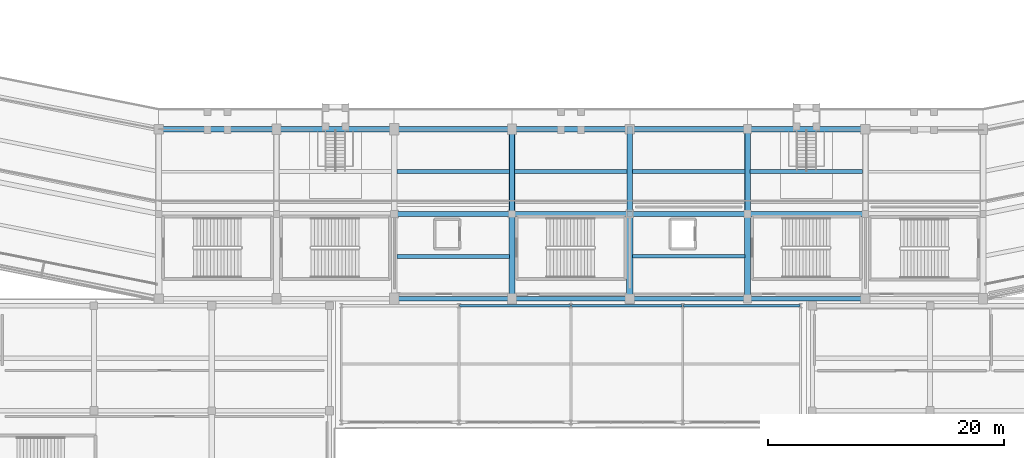
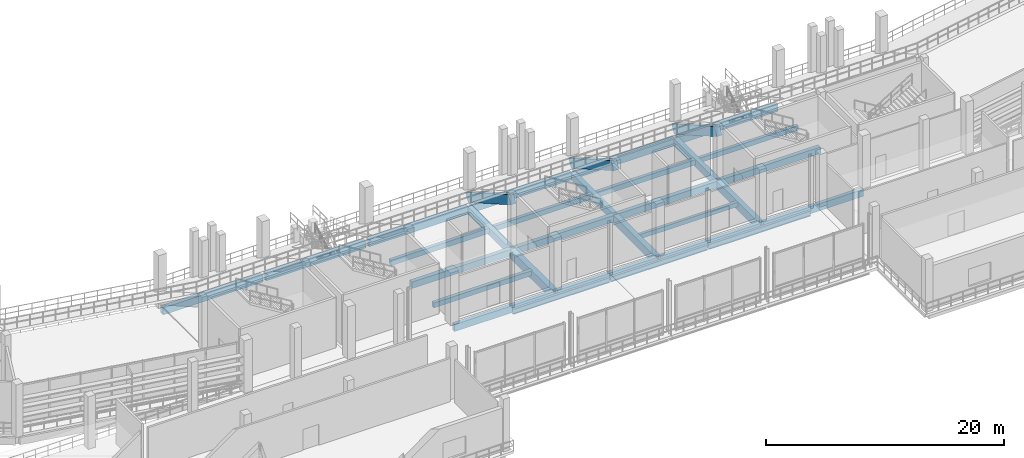
# One storey, part 24 of 127: 32 beams.
"""IFC4 building model written with IfcOpenShell, lengths in metres."""

from ifc_helpers import new_model, si_unit, direction, frame, origin, origin_2d, place, context, subcontext, project, spatial, rectangle, i_section, extrude, material, material_profile, profile_set, type_object, element, save


model = new_model("IFC4")

# Units and contexts
model_context = context("Model", 3, precision=1e-05, world=origin(), true_north=direction((0.0, 1.0)))
body_context = subcontext(model_context, "Body", "Model", "MODEL_VIEW")
ifc_project = project(units=[si_unit("LENGTHUNIT", "METRE"), si_unit("AREAUNIT", "SQUARE_METRE"), si_unit("VOLUMEUNIT", "CUBIC_METRE"), si_unit("PLANEANGLEUNIT", "RADIAN"), si_unit("MASSUNIT", "GRAM", prefix="KILO")], contexts=[model_context])

# Site, building, storey
site_placement = place(None, origin())
site = spatial("IfcSite", under=ifc_project, at=site_placement, CompositionType="ELEMENT")
building_placement = place(site_placement, origin())
building = spatial("IfcBuilding", under=site, at=building_placement, Name="Candeia Ridge Stadium", CompositionType="ELEMENT")
storey_placement = place(building_placement, frame((0.0, 0.0, 10.800048828125)))
storey = spatial("IfcBuildingStorey", under=building, at=storey_placement, Name="L02", CompositionType="ELEMENT", Elevation=10.800048828125)

# Beams
ifc_material_1 = material(Name="Concrete C45/55", Category="concrete")
ifc_material_profile_1 = material_profile(ifc_material_1, rectangle(XDim=0.449951171875, YDim=0.75, at=origin_2d()), Name="RC450x750", Category="concrete")
ifc_profile_set_1 = profile_set([ifc_material_profile_1], Name="Concrete C45/55")
beam_type_1 = type_object("IfcBeamType", Name="Bowl Radial Girder RC450x750", PredefinedType="BEAM", material=ifc_profile_set_1)
beam_1_placement = place(storey_placement, frame((111.0, 33.239990234375, -0.635009765625), z_axis=(0.0, -1.0, 0.0), x_axis=(1.0, 0.0, 0.0)))
element("IfcBeam", 1, at=beam_1_placement, inside=storey, type_object=beam_type_1, Name="Bowl radial girder BM-L02-0285", PredefinedType="BEAM", context=body_context, shape_type="SweptSolid", body=[
    extrude(rectangle(XDim=0.449951171875, YDim=0.75, at=origin_2d()), origin(), (0.0, 0.0, 1.0), 6.8798828125),
])
ifc_material_profile_2 = material_profile(ifc_material_1, rectangle(XDim=0.5, YDim=0.89990234375, at=origin_2d()), Name="RC500x900", Category="concrete")
ifc_profile_set_2 = profile_set([ifc_material_profile_2], Name="Concrete C45/55")
beam_type_2 = type_object("IfcBeamType", Name="Club Stand Raker Beam RC500x900", PredefinedType="USERDEFINED", material=ifc_profile_set_2)
for number, where, z_axis, x_axis, name in (
    (2, (101.0, 33.39990234375, 0.624267578125), (0.0, -0.869244421404, 0.494382580455), (1.0, 0.0, 0.0), "Stand T2 inclined concrete raker beam 22"),
    (3, (111.0, 33.39990234375, 0.624267578125), (0.0, -0.869244421404, 0.494382580455), (1.0, 0.0, 0.0), "Stand T2 inclined concrete raker beam 23"),
    (4, (121.0, 33.39990234375, 0.624267578125), (0.0, -0.869244421404, 0.494382580455), (1.0, 0.0, 0.0), "Stand T2 inclined concrete raker beam 24"),
):
    element("IfcBeam", number, at=place(storey_placement, frame(where, z_axis=z_axis, x_axis=x_axis)), inside=storey, type_object=beam_type_2, Name=name, ObjectType="RAKER", PredefinedType="USERDEFINED", context=body_context, shape_type="SweptSolid", body=[
        extrude(rectangle(XDim=0.5, YDim=0.89990234375, at=origin_2d()), origin(), (0.0, 0.0, 1.0), 8.282958984375),
    ])
ifc_material_2 = material(Name="Concrete C40/50", Category="concrete")
ifc_material_profile_3 = material_profile(ifc_material_2, rectangle(XDim=0.280029296875, YDim=0.4599609375, at=origin_2d()), Name="RC280x460", Category="concrete")
ifc_profile_set_3 = profile_set([ifc_material_profile_3], Name="Concrete C40/50")
beam_type_3 = type_object("IfcBeamType", Name="Floor Joist RC280x460", PredefinedType="JOIST", material=ifc_profile_set_3)
beam_2_placement = place(storey_placement, frame((111.221923828125, 22.60009765625, -0.489990234375), z_axis=(1.0, 0.0, 0.0), x_axis=(0.0, 1.0, 0.0)))
element("IfcBeam", 5, at=beam_2_placement, inside=storey, type_object=beam_type_3, Name="Concourse secondary joist BM-L02-0419", PredefinedType="JOIST", context=body_context, shape_type="SweptSolid", body=[
    extrude(rectangle(XDim=0.280029296875, YDim=0.4599609375, at=origin_2d()), origin(), (0.0, 0.0, 1.0), 9.55615234375),
])
ifc_material_profile_4 = material_profile(ifc_material_2, rectangle(XDim=0.31005859375, YDim=0.489990234375, at=origin_2d()), Name="RC310x490", Category="concrete")
ifc_profile_set_4 = profile_set([ifc_material_profile_4], Name="Concrete C40/50")
beam_type_4 = type_object("IfcBeamType", Name="Floor Joist RC310x490", PredefinedType="JOIST", material=ifc_profile_set_4)
beam_3_placement = place(storey_placement, frame((121.221923828125, 29.800048828125, -0.505126953125), z_axis=(1.0, 0.0, 0.0), x_axis=(0.0, 1.0, 0.0)))
element("IfcBeam", 6, at=beam_3_placement, inside=storey, type_object=beam_type_4, Name="Concourse secondary joist BM-L02-0423", PredefinedType="JOIST", context=body_context, shape_type="SweptSolid", body=[
    extrude(rectangle(XDim=0.31005859375, YDim=0.489990234375, at=origin_2d()), origin(), (0.0, 0.0, 1.0), 9.55615234375),
])
ifc_material_profile_5 = material_profile(ifc_material_2, rectangle(XDim=0.320068359375, YDim=0.52001953125, at=origin_2d()), Name="RC320x520", Category="concrete")
ifc_profile_set_5 = profile_set([ifc_material_profile_5], Name="Concrete C40/50")
beam_type_5 = type_object("IfcBeamType", Name="Floor Joist RC320x520", PredefinedType="JOIST", material=ifc_profile_set_5)
beam_4_placement = place(storey_placement, frame((101.221923828125, 29.800048828125, -0.52001953125), z_axis=(1.0, 0.0, 0.0), x_axis=(0.0, 1.0, 0.0)))
element("IfcBeam", 7, at=beam_4_placement, inside=storey, type_object=beam_type_5, Name="Concourse secondary joist BM-L02-0414", PredefinedType="JOIST", context=body_context, shape_type="SweptSolid", body=[
    extrude(rectangle(XDim=0.320068359375, YDim=0.52001953125, at=origin_2d()), origin(), (0.0, 0.0, 1.0), 9.55615234375),
])
ifc_material_profile_6 = material_profile(ifc_material_2, rectangle(XDim=0.330078125, YDim=0.530029296875, at=origin_2d()), Name="RC330x530", Category="concrete")
ifc_profile_set_6 = profile_set([ifc_material_profile_6], Name="Concrete C40/50")
beam_type_6 = type_object("IfcBeamType", Name="Floor Joist RC330x530", PredefinedType="JOIST", material=ifc_profile_set_6)
beam_5_placement = place(storey_placement, frame((111.221923828125, 29.800048828125, -0.525146484375), z_axis=(1.0, 0.0, 0.0), x_axis=(0.0, 1.0, 0.0)))
element("IfcBeam", 8, at=beam_5_placement, inside=storey, type_object=beam_type_6, Name="Concourse secondary joist BM-L02-0418", PredefinedType="JOIST", context=body_context, shape_type="SweptSolid", body=[
    extrude(rectangle(XDim=0.330078125, YDim=0.530029296875, at=origin_2d()), origin(), (0.0, 0.0, 1.0), 9.55615234375),
])
ifc_material_profile_7 = material_profile(ifc_material_2, rectangle(XDim=0.340087890625, YDim=0.5400390625, at=origin_2d()), Name="RC340x540", Category="concrete")
ifc_profile_set_7 = profile_set([ifc_material_profile_7], Name="Concrete C40/50")
beam_type_7 = type_object("IfcBeamType", Name="Floor Joist RC340x540", PredefinedType="JOIST", material=ifc_profile_set_7)
beam_6_placement = place(storey_placement, frame((91.221923828125, 29.800048828125, -0.530029296875), z_axis=(1.0, 0.0, 0.0), x_axis=(0.0, 1.0, 0.0)))
element("IfcBeam", 9, at=beam_6_placement, inside=storey, type_object=beam_type_7, Name="Concourse secondary joist BM-L02-0409", PredefinedType="JOIST", context=body_context, shape_type="SweptSolid", body=[
    extrude(rectangle(XDim=0.340087890625, YDim=0.5400390625, at=origin_2d()), origin(), (0.0, 0.0, 1.0), 9.55615234375),
])
ifc_material_profile_8 = material_profile(ifc_material_2, rectangle(XDim=0.35009765625, YDim=0.5, at=origin_2d()), Name="RC350x500", Category="concrete")
ifc_profile_set_8 = profile_set([ifc_material_profile_8], Name="Concrete C40/50")
beam_type_8 = type_object("IfcBeamType", Name="Floor Joist RC350x500", PredefinedType="JOIST", material=ifc_profile_set_8)
beam_7_placement = place(storey_placement, frame((91.221923828125, 22.60009765625, -0.510009765625), z_axis=(1.0, 0.0, 0.0), x_axis=(0.0, 1.0, 0.0)))
element("IfcBeam", 10, at=beam_7_placement, inside=storey, type_object=beam_type_8, Name="Concourse secondary joist BM-L02-0410", PredefinedType="JOIST", context=body_context, shape_type="SweptSolid", body=[
    extrude(rectangle(XDim=0.35009765625, YDim=0.5, at=origin_2d()), origin(), (0.0, 0.0, 1.0), 9.55615234375),
])
ifc_material_profile_9 = material_profile(ifc_material_2, rectangle(XDim=0.409912109375, YDim=0.659912109375, at=origin_2d()), Name="RC410x660", Category="concrete")
ifc_profile_set_9 = profile_set([ifc_material_profile_9], Name="Concrete C40/50")
beam_type_9 = type_object("IfcBeamType", Name="Frame Girder RC410x660", PredefinedType="BEAM", material=ifc_profile_set_9)
for number, where, z_axis, x_axis, name in (
    (11, (91.159912109375, 26.199951171875, -0.590087890625), (1.0, 0.0, 0.0), (0.0, 1.0, 0.0), "Concourse spine girder BM-L02-0407"),
    (12, (101.159912109375, 26.199951171875, -0.590087890625), (1.0, 0.0, 0.0), (0.0, 1.0, 0.0), "Concourse spine girder BM-L02-0412"),
    (13, (111.159912109375, 26.199951171875, -0.590087890625), (1.0, 0.0, 0.0), (0.0, 1.0, 0.0), "Concourse spine girder BM-L02-0416"),
    (14, (121.159912109375, 26.199951171875, -0.590087890625), (1.0, 0.0, 0.0), (0.0, 1.0, 0.0), "Concourse spine girder BM-L02-0421"),
):
    element("IfcBeam", number, at=place(storey_placement, frame(where, z_axis=z_axis, x_axis=x_axis)), inside=storey, type_object=beam_type_9, Name=name, PredefinedType="BEAM", context=body_context, shape_type="SweptSolid", body=[
        extrude(rectangle(XDim=0.409912109375, YDim=0.659912109375, at=origin_2d()), origin(), (0.0, 0.0, 1.0), 9.68017578125),
    ])
ifc_material_profile_10 = material_profile(ifc_material_2, rectangle(XDim=0.43994140625, YDim=0.719970703125, at=origin_2d()), Name="RC440x720", Category="concrete")
ifc_profile_set_10 = profile_set([ifc_material_profile_10], Name="Concrete C40/50")
beam_type_10 = type_object("IfcBeamType", Name="Frame Girder RC440x720", PredefinedType="BEAM", material=ifc_profile_set_10)
for number, where, z_axis, x_axis, name in (
    (15, (71.159912109375, 33.39990234375, -0.6201171875), (1.0, 0.0, 0.0), (0.0, 1.0, 0.0), "Bowl inner ring girder BM-L02-0398"),
    (16, (81.159912109375, 33.39990234375, -0.6201171875), (1.0, 0.0, 0.0), (0.0, 1.0, 0.0), "Bowl inner ring girder BM-L02-0402"),
    (17, (91.159912109375, 33.39990234375, -0.6201171875), (1.0, 0.0, 0.0), (0.0, 1.0, 0.0), "Bowl inner ring girder BM-L02-0406"),
    (18, (101.159912109375, 33.39990234375, -0.6201171875), (1.0, 0.0, 0.0), (0.0, 1.0, 0.0), "Bowl inner ring girder BM-L02-0411"),
    (19, (111.159912109375, 33.39990234375, -0.6201171875), (1.0, 0.0, 0.0), (0.0, 1.0, 0.0), "Bowl inner ring girder BM-L02-0415"),
    (20, (121.159912109375, 33.39990234375, -0.6201171875), (1.0, 0.0, 0.0), (0.0, 1.0, 0.0), "Bowl inner ring girder BM-L02-0420"),
):
    element("IfcBeam", number, at=place(storey_placement, frame(where, z_axis=z_axis, x_axis=x_axis)), inside=storey, type_object=beam_type_10, Name=name, PredefinedType="BEAM", context=body_context, shape_type="SweptSolid", body=[
        extrude(rectangle(XDim=0.43994140625, YDim=0.719970703125, at=origin_2d()), origin(), (0.0, 0.0, 1.0), 9.68017578125),
    ])
ifc_material_profile_11 = material_profile(ifc_material_2, rectangle(XDim=0.4599609375, YDim=0.780029296875, at=origin_2d()), Name="RC460x780", Category="concrete")
ifc_profile_set_11 = profile_set([ifc_material_profile_11], Name="Concrete C40/50")
beam_type_11 = type_object("IfcBeamType", Name="Frame Girder RC460x780", PredefinedType="BEAM", material=ifc_profile_set_11)
beam_8_placement = place(storey_placement, frame((101.0, 33.239990234375, -0.650146484375), z_axis=(0.0, -1.0, 0.0), x_axis=(1.0, 0.0, 0.0)))
element("IfcBeam", 21, at=beam_8_placement, inside=storey, type_object=beam_type_11, Name="Bowl radial girder BM-L02-0283", PredefinedType="BEAM", context=body_context, shape_type="SweptSolid", body=[
    extrude(rectangle(XDim=0.4599609375, YDim=0.780029296875, at=origin_2d()), origin(), (0.0, 0.0, 1.0), 6.8798828125),
])
ifc_material_profile_12 = material_profile(ifc_material_2, rectangle(XDim=0.469970703125, YDim=0.760009765625, at=origin_2d()), Name="RC470x760", Category="concrete")
ifc_profile_set_12 = profile_set([ifc_material_profile_12], Name="Concrete C40/50")
beam_type_12 = type_object("IfcBeamType", Name="Frame Girder RC470x760", PredefinedType="BEAM", material=ifc_profile_set_12)
beam_9_placement = place(storey_placement, frame((121.0, 33.239990234375, -0.64013671875), z_axis=(0.0, -1.0, 0.0), x_axis=(1.0, 0.0, 0.0)))
element("IfcBeam", 22, at=beam_9_placement, inside=storey, type_object=beam_type_12, Name="Bowl radial girder BM-L02-0287", PredefinedType="BEAM", context=body_context, shape_type="SweptSolid", body=[
    extrude(rectangle(XDim=0.469970703125, YDim=0.760009765625, at=origin_2d()), origin(), (0.0, 0.0, 1.0), 6.8798828125),
])
ifc_material_profile_13 = material_profile(ifc_material_1, rectangle(XDim=0.5, YDim=0.85009765625, at=origin_2d()), Name="RC500x850", Category="concrete")
ifc_profile_set_13 = profile_set([ifc_material_profile_13], Name="Concrete C45/55")
beam_type_13 = type_object("IfcBeamType", Name="Frame Girder RC500x850", PredefinedType="BEAM", material=ifc_profile_set_13)
beam_10_placement = place(storey_placement, frame((121.0, 26.0400390625, -0.68505859375), z_axis=(0.0, -1.0, 0.0), x_axis=(1.0, 0.0, 0.0)))
element("IfcBeam", 23, at=beam_10_placement, inside=storey, type_object=beam_type_13, Name="Bowl radial girder BM-L02-0288", PredefinedType="BEAM", context=body_context, shape_type="SweptSolid", body=[
    extrude(rectangle(XDim=0.5, YDim=0.85009765625, at=origin_2d()), origin(), (0.0, 0.0, 1.0), 6.880126953125),
])
ifc_material_profile_14 = material_profile(ifc_material_1, rectangle(XDim=0.52001953125, YDim=0.8798828125, at=origin_2d()), Name="RC520x880", Category="concrete")
ifc_profile_set_14 = profile_set([ifc_material_profile_14], Name="Concrete C45/55")
beam_type_14 = type_object("IfcBeamType", Name="Frame Girder RC520x880", PredefinedType="BEAM", material=ifc_profile_set_14)
beam_11_placement = place(storey_placement, frame((111.0, 26.0400390625, -0.699951171875), z_axis=(0.0, -1.0, 0.0), x_axis=(1.0, 0.0, 0.0)))
element("IfcBeam", 24, at=beam_11_placement, inside=storey, type_object=beam_type_14, Name="Bowl radial girder BM-L02-0286", PredefinedType="BEAM", context=body_context, shape_type="SweptSolid", body=[
    extrude(rectangle(XDim=0.52001953125, YDim=0.8798828125, at=origin_2d()), origin(), (0.0, 0.0, 1.0), 6.880126953125),
])
ifc_material_profile_15 = material_profile(ifc_material_1, rectangle(XDim=0.550048828125, YDim=0.919921875, at=origin_2d()), Name="RC550x920", Category="concrete")
ifc_profile_set_15 = profile_set([ifc_material_profile_15], Name="Concrete C45/55")
beam_type_15 = type_object("IfcBeamType", Name="Frame Girder RC550x920", PredefinedType="BEAM", material=ifc_profile_set_15)
beam_12_placement = place(storey_placement, frame((101.0, 26.0400390625, -0.719970703125), z_axis=(0.0, -1.0, 0.0), x_axis=(1.0, 0.0, 0.0)))
element("IfcBeam", 25, at=beam_12_placement, inside=storey, type_object=beam_type_15, Name="Bowl radial girder BM-L02-0284", PredefinedType="BEAM", context=body_context, shape_type="SweptSolid", body=[
    extrude(rectangle(XDim=0.550048828125, YDim=0.919921875, at=origin_2d()), origin(), (0.0, 0.0, 1.0), 6.880126953125),
])
ifc_material_3 = material(Name="Steel ASTM A572 Grade 50", Category="steel")
ifc_material_profile_16 = material_profile(ifc_material_3, i_section(OverallWidth=0.208984375, OverallDepth=0.532958984375, WebThickness=0.01025390625, FlangeThickness=0.015625, FilletRadius=0.013916015625, at=origin_2d()), Name="W530x92", Category="steel")
ifc_profile_set_16 = profile_set([ifc_material_profile_16], Name="Steel ASTM A572 Grade 50")
beam_type_16 = type_object("IfcBeamType", Name="Gate Portal Girder W530x92", PredefinedType="BEAM", material=ifc_profile_set_16)
for number, where, z_axis, x_axis, name in (
    (26, (96.550048828125, 18.39990234375, -0.526611328125), (1.0, 0.0, 0.0), (0.0, 1.0, 0.0), "Structural girder BM-L02-2198"),
    (27, (106.050048828125, 18.39990234375, -0.526611328125), (1.0, 0.0, 0.0), (0.0, 1.0, 0.0), "Structural girder BM-L02-2201"),
):
    element("IfcBeam", number, at=place(storey_placement, frame(where, z_axis=z_axis, x_axis=x_axis)), inside=storey, type_object=beam_type_16, Name=name, PredefinedType="BEAM", context=body_context, shape_type="SweptSolid", body=[
        extrude(i_section(OverallWidth=0.208984375, OverallDepth=0.532958984375, WebThickness=0.01025390625, FlangeThickness=0.015625, FilletRadius=0.013916015625, at=origin_2d()), origin(), (0.0, 0.0, 1.0), 9.39990234375),
    ])
beam_13_placement = place(storey_placement, frame((115.550048828125, 18.39990234375, -0.526611328125), z_axis=(1.0, 0.0, 0.0), x_axis=(0.0, 1.0, 0.0)))
element("IfcBeam", 28, at=beam_13_placement, inside=storey, type_object=beam_type_16, Name="Structural girder BM-L02-2204", PredefinedType="BEAM", context=body_context, shape_type="SweptSolid", body=[
    extrude(i_section(OverallWidth=0.208984375, OverallDepth=0.532958984375, WebThickness=0.01025390625, FlangeThickness=0.015625, FilletRadius=0.013916015625, at=origin_2d()), origin(), (0.0, 0.0, 1.0), 9.89990234375),
])
ifc_material_profile_17 = material_profile(ifc_material_1, rectangle(XDim=0.360107421875, YDim=0.719970703125, at=origin_2d()), Name="RC360x720", Category="concrete")
ifc_profile_set_17 = profile_set([ifc_material_profile_17], Name="Concrete C45/55")
beam_type_17 = type_object("IfcBeamType", Name="Spandrel Beam RC360x720", PredefinedType="SPANDREL", material=ifc_profile_set_17)
for number, where, z_axis, x_axis, name in (
    (29, (91.159912109375, 19.0, -0.6201171875), (1.0, 0.0, 0.0), (0.0, 1.0, 0.0), "Bowl perimeter spandrel BM-L02-0408"),
    (30, (101.159912109375, 19.0, -0.6201171875), (1.0, 0.0, 0.0), (0.0, 1.0, 0.0), "Bowl perimeter spandrel BM-L02-0413"),
    (31, (111.159912109375, 19.0, -0.6201171875), (1.0, 0.0, 0.0), (0.0, 1.0, 0.0), "Bowl perimeter spandrel BM-L02-0417"),
    (32, (121.159912109375, 19.0, -0.6201171875), (1.0, 0.0, 0.0), (0.0, 1.0, 0.0), "Bowl perimeter spandrel BM-L02-0422"),
):
    element("IfcBeam", number, at=place(storey_placement, frame(where, z_axis=z_axis, x_axis=x_axis)), inside=storey, type_object=beam_type_17, Name=name, PredefinedType="SPANDREL", context=body_context, shape_type="SweptSolid", body=[
        extrude(rectangle(XDim=0.360107421875, YDim=0.719970703125, at=origin_2d()), origin(), (0.0, 0.0, 1.0), 9.68017578125),
    ])

save(model, "model.ifc")
